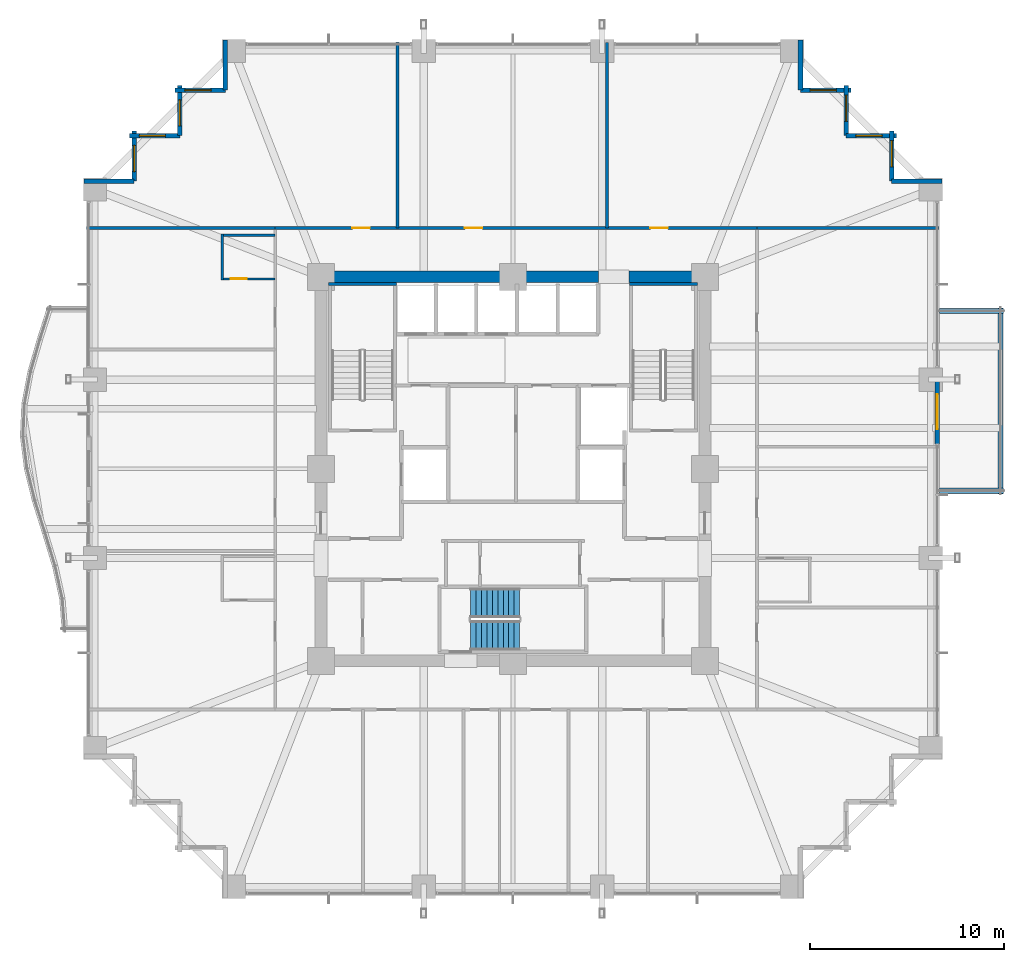
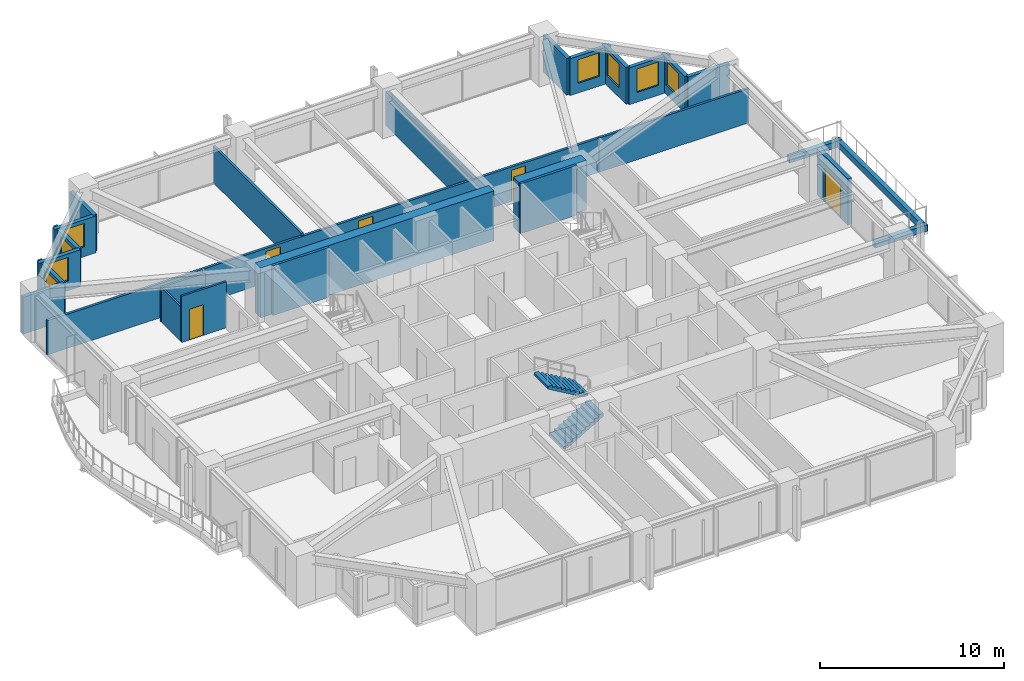
# One storey, part 35 of 38: 28 walls, 8 windows, 5 doors, 2 stair flights, 13 openings, 1 element without a shape of its own.
"""IFC4 building model written with IfcOpenShell, lengths in metres."""

import ifcopenshell
import ifcopenshell.guid

model = None  # the IFC model being written
_history = None  # IfcOwnerHistory: only IFC2X3 demands one
_inside = {}  # id of a spatial element -> (the spatial element, [elements in it])
_under = {}  # id of a project, library or spatial element -> (it, [spatial elements below it])
_declared = {}  # id of a project -> (the project, [libraries it declares])
_typed = {}  # id of a type object -> (the type object, [elements of that type])
_made_of = {}  # id of a material, layer set ... -> (it, [elements and type objects made of it])


def new_model(schema):
    """Start an empty IFC model of exactly this schema.

    Asked for "IFC4X3", IfcOpenShell would pick the latest addendum, in which some entities
    have other attributes; the version numbers below select the first issue.
    IFC2X3 requires an IfcOwnerHistory on every rooted entity: one is made here for all.
    """
    global model, _history
    if schema == "IFC4X3":
        model = ifcopenshell.file(schema_version=(4, 3, 0, 0))
    else:
        model = ifcopenshell.file(schema=schema)
    _inside.clear()
    _under.clear()
    _declared.clear()
    _typed.clear()
    _made_of.clear()
    _history = None
    if model.schema == "IFC2X3":
        org = make("IfcOrganization", Name="unknown")
        user = make(
            "IfcPersonAndOrganization",
            ThePerson=make("IfcPerson", FamilyName="unknown"),
            TheOrganization=org,
        )
        app = make(
            "IfcApplication",
            ApplicationDeveloper=org,
            Version="unknown",
            ApplicationFullName="unknown",
            ApplicationIdentifier="unknown",
        )
        _history = make(
            "IfcOwnerHistory",
            OwningUser=user,
            OwningApplication=app,
            ChangeAction="ADDED",
            CreationDate=0,
        )
    return model


def make(cls, **values):
    """One entity of the class cls with the attributes given. An attribute that is None is left unset."""
    return model.create_entity(
        cls, **{name: value for name, value in values.items() if value is not None}
    )


def rooted(cls, **values):
    """An entity with a GlobalId (a new one), such as an element, a storey or a relation."""
    return make(cls, GlobalId=ifcopenshell.guid.new(), OwnerHistory=_history, **values)


def si_unit(unit_type, name, prefix=None):
    """IfcSIUnit, for example si_unit("LENGTHUNIT", "METRE", prefix="MILLI")."""
    return make("IfcSIUnit", UnitType=unit_type, Prefix=prefix, Name=name)


def assignment(units):
    """IfcUnitAssignment: the units of a project."""
    return None if units is None else make("IfcUnitAssignment", Units=units)


def point(xyz):
    """IfcCartesianPoint."""
    return None if xyz is None else make("IfcCartesianPoint", Coordinates=xyz)


def direction(xyz):
    """IfcDirection."""
    return None if xyz is None else make("IfcDirection", DirectionRatios=xyz)


def frame(location, z_axis=None, x_axis=None):
    """IfcAxis2Placement3D, a coordinate frame: its origin and axes. An axis left out is left unset."""
    return make(
        "IfcAxis2Placement3D",
        Location=point(location),
        Axis=direction(z_axis),
        RefDirection=direction(x_axis),
    )


def frame_2d(location, x_axis=None):
    """IfcAxis2Placement2D, a coordinate frame in the plane: its origin and x axis."""
    return make(
        "IfcAxis2Placement2D", Location=point(location), RefDirection=direction(x_axis)
    )


def origin():
    """The frame at (0, 0, 0) with its axes left unset."""
    return frame((0.0, 0.0, 0.0))


def place(relative_to, where):
    """IfcLocalPlacement: puts the frame where relative to a parent placement (None: the world)."""
    return make(
        "IfcLocalPlacement", PlacementRelTo=relative_to, RelativePlacement=where
    )


def context(
    kind, dimensions, precision=None, world=None, true_north=None, identifier=None
):
    """IfcGeometricRepresentationContext, for example the 3D "Model" context."""
    return make(
        "IfcGeometricRepresentationContext",
        ContextIdentifier=identifier,
        ContextType=kind,
        CoordinateSpaceDimension=dimensions,
        Precision=precision,
        WorldCoordinateSystem=world,
        TrueNorth=true_north,
    )


def subcontext(parent, identifier, kind, view, scale=None):
    """IfcGeometricRepresentationSubContext, for example "Body" below "Model"."""
    return make(
        "IfcGeometricRepresentationSubContext",
        ContextIdentifier=identifier,
        ContextType=kind,
        ParentContext=parent,
        TargetScale=scale,
        TargetView=view,
    )


def project(units=None, contexts=None):
    """IfcProject with its units and contexts."""
    return rooted(
        "IfcProject",
        Name="project",
        RepresentationContexts=contexts,
        UnitsInContext=assignment(units),
    )


def spatial(cls, under=None, at=None, **own):
    """A site, building, storey or space (cls), placed at a placement, below another one or the project."""
    s = rooted(cls, ObjectPlacement=at, **own)
    if under is not None:
        _under.setdefault(under.id(), (under, []))[1].append(s)
    return s


def polyline(points):
    """IfcPolyline through the points."""
    return make("IfcPolyline", Points=[point(p) for p in points])


def profile(cls, at=None, kind="AREA", **sizes):
    """A parametric profile (cls). Its sizes go by their IFC names, for example OverallWidth=200.0."""
    return make(cls, ProfileType=kind, Position=at, **sizes)


def rectangle(**sizes):
    """IfcRectangleProfileDef."""
    return profile("IfcRectangleProfileDef", **sizes)


def outline(outer, holes=None, kind="AREA"):
    """IfcArbitraryClosedProfileDef: a profile drawn as a closed curve; with holes, ...WithVoids."""
    if holes is None:
        return make("IfcArbitraryClosedProfileDef", ProfileType=kind, OuterCurve=outer)
    return make(
        "IfcArbitraryProfileDefWithVoids",
        ProfileType=kind,
        OuterCurve=outer,
        InnerCurves=holes,
    )


def extrude(swept, where, along, depth):
    """IfcExtrudedAreaSolid: the profile swept, set in the frame where, extruded along a direction by depth."""
    return make(
        "IfcExtrudedAreaSolid",
        SweptArea=swept,
        Position=where,
        ExtrudedDirection=direction(along),
        Depth=depth,
    )


def shape(context_of_items, identifier, shape_type, items):
    """IfcShapeRepresentation: the items that make up one representation, for example the "Body"."""
    return make(
        "IfcShapeRepresentation",
        ContextOfItems=context_of_items,
        RepresentationIdentifier=identifier,
        RepresentationType=shape_type,
        Items=items,
    )


def material(Name=None, Category=None):
    """IfcMaterial."""
    return make("IfcMaterial", Name=Name, Category=Category)


def layer(
    of_material, thickness, ventilated=None, Name=None, Category=None, Priority=None
):
    """IfcMaterialLayer: one layer of a wall or slab, of a material (None: an air gap)."""
    return make(
        "IfcMaterialLayer",
        Material=of_material,
        LayerThickness=thickness,
        IsVentilated=ventilated,
        Name=Name,
        Category=Category,
        Priority=Priority,
    )


def layer_set(layers, Name=None):
    """IfcMaterialLayerSet."""
    return make("IfcMaterialLayerSet", MaterialLayers=layers, LayerSetName=Name)


def made_of(thing, what):
    """Note that an element or type object is made of a material, layer set ...; save() writes the relation."""
    if what is not None:
        _made_of.setdefault(what.id(), (what, []))[1].append(thing)
    return thing


def type_object(cls, material=None, **own):
    """A type object (cls), such as IfcWallType, which elements share."""
    return made_of(rooted(cls, **own), material)


def element(
    cls,
    number,
    at=None,
    inside=None,
    cuts=None,
    type_object=None,
    material=None,
    context=None,
    identifier="Body",
    shape_type=None,
    held_by="IfcProductDefinitionShape",
    body=None,
    shapes=None,
    **own,
):
    """One element of the class cls, such as IfcWall. Its Tag is "e" and its number.

    at: its placement. inside: the storey or other place that contains it. cuts: it is an
    opening in that element (IfcRelVoidsElement). A single representation is given by context,
    identifier, shape_type and body (its items); several are given by shapes. held_by: the class
    of the entity that holds the representations. save() writes the other relations.
    """
    e = rooted(cls, Tag="e%d" % number, ObjectPlacement=at, **own)
    if body is not None:
        shapes = [shape(context, identifier, shape_type, body)]
    if shapes is not None:
        e.Representation = make(held_by, Representations=shapes)
    if inside is not None:
        _inside.setdefault(inside.id(), (inside, []))[1].append(e)
    if cuts is not None:
        rooted(
            "IfcRelVoidsElement", RelatingBuildingElement=cuts, RelatedOpeningElement=e
        )
    if type_object is not None:
        _typed.setdefault(type_object.id(), (type_object, []))[1].append(e)
    return made_of(e, material)


def fill(opening, filler):
    """IfcRelFillsElement: the door or window that sits in an opening."""
    return rooted(
        "IfcRelFillsElement",
        RelatingOpeningElement=opening,
        RelatedBuildingElement=filler,
    )


def aggregate(whole, parts):
    """IfcRelAggregates: a whole, such as a stair, and the parts it consists of."""
    return rooted("IfcRelAggregates", RelatingObject=whole, RelatedObjects=parts)


def save(model, path):
    """Write the relations noted so far, then the file.

    IfcRelAggregates (storeys below a building ...), IfcRelContainedInSpatialStructure (elements
    in a storey), IfcRelDefinesByType, IfcRelAssociatesMaterial and IfcRelDeclares: one each for
    every whole, place, type object, material and project.
    """
    for whole, parts in _under.values():
        aggregate(whole, parts)
    for where, things in _inside.values():
        rooted(
            "IfcRelContainedInSpatialStructure",
            RelatedElements=things,
            RelatingStructure=where,
        )
    for kind, things in _typed.values():
        rooted("IfcRelDefinesByType", RelatedObjects=things, RelatingType=kind)
    for what, things in _made_of.values():
        rooted("IfcRelAssociatesMaterial", RelatedObjects=things, RelatingMaterial=what)
    for by, libraries in _declared.values():
        rooted("IfcRelDeclares", RelatingContext=by, RelatedDefinitions=libraries)
    model.write(path)


model = new_model("IFC4")

# Units and contexts
model_context = context("Model", 3, precision=1e-05, world=origin(), true_north=direction((0.0, 1.0)))
body_context = subcontext(model_context, "Body", "Model", "MODEL_VIEW")
ifc_project = project(units=[si_unit("LENGTHUNIT", "METRE"), si_unit("AREAUNIT", "SQUARE_METRE"), si_unit("VOLUMEUNIT", "CUBIC_METRE"), si_unit("PLANEANGLEUNIT", "RADIAN"), si_unit("MASSUNIT", "GRAM", prefix="KILO")], contexts=[model_context])

# Site, building, storey
site_placement = place(None, origin())
site = spatial("IfcSite", under=ifc_project, at=site_placement, CompositionType="ELEMENT")
building_placement = place(site_placement, origin())
building = spatial("IfcBuilding", under=site, at=building_placement, Name="Kolvaren Belvedere", CompositionType="ELEMENT")
storey_placement = place(building_placement, frame((0.0, 0.0, 53.5)))
storey = spatial("IfcBuildingStorey", under=building, at=storey_placement, Name="L15", CompositionType="ELEMENT", Elevation=53.5)

# Walls
ifc_material_1 = material(Name="Concrete C60/75", Category="concrete")
ifc_layer_1 = layer(ifc_material_1, 0.60009765625)
ifc_layer_set_1 = layer_set([ifc_layer_1], Name="Concrete C60/75")
wall_type_1 = type_object("IfcWallType", Name="CW-CORE-600", PredefinedType="SHEAR", material=ifc_layer_set_1)
wall_1_placement = place(storey_placement, frame((-10.199951171875, 9.89990234375, 0.0), z_axis=(0.0, 0.0, 1.0), x_axis=(1.0, 0.0, 0.0)))
element("IfcWall", 1, at=wall_1_placement, inside=storey, type_object=wall_type_1, Name="L15 North Core Shear Wall 1", PredefinedType="SHEAR", context=body_context, shape_type="SweptSolid", body=[
    extrude(rectangle(XDim=14.619873046875, YDim=0.60009765625, at=frame_2d((7.31005859375, 0.0))), origin(), (0.0, 0.0, 1.0), 3.300048828125),
])
wall_2_placement = place(storey_placement, frame((5.97998046875, 9.89990234375, 0.0), z_axis=(0.0, 0.0, 1.0), x_axis=(1.0, 0.0, 0.0)))
element("IfcWall", 2, at=wall_2_placement, inside=storey, type_object=wall_type_1, Name="L15 North Core Shear Wall 2", PredefinedType="SHEAR", context=body_context, shape_type="SweptSolid", body=[
    extrude(rectangle(XDim=4.219970703125, YDim=0.60009765625, at=frame_2d((2.10986328125, 0.0))), origin(), (0.0, 0.0, 1.0), 3.300048828125),
])
ifc_material_2 = material(Name="Concrete C50/60", Category="concrete")
ifc_layer_2 = layer(ifc_material_2, 0.159912109375)
ifc_layer_set_2 = layer_set([ifc_layer_2], Name="Concrete C50/60")
wall_type_2 = type_object("IfcWallType", Name="CW-STAIR-160", PredefinedType="SHEAR", material=ifc_layer_set_2)
for number, where, z_axis, x_axis, name in (
    (3, (-9.52001953125, 9.530029296875, 0.0), (0.0, 0.0, 1.0), (1.0, 0.0, 0.0), "L15 Stair ST-1 North Shear Wall"),
    (4, (6.0, 9.530029296875, 0.0), (0.0, 0.0, 1.0), (1.0, 0.0, 0.0), "L15 Stair ST-2 North Shear Wall"),
):
    element("IfcWall", number, at=place(storey_placement, frame(where, z_axis=z_axis, x_axis=x_axis)), inside=storey, type_object=wall_type_2, Name=name, PredefinedType="SHEAR", context=body_context, shape_type="SweptSolid", body=[
        extrude(rectangle(XDim=3.52001953125, YDim=0.159912109375, at=frame_2d((1.760009765625, 0.0))), origin(), (0.0, 0.0, 1.0), 3.300048828125),
    ])

# Wall, openings, doors
ifc_material_3 = material(Name="Gypsum fire-rated partition assembly", Category="gypsum")
ifc_layer_3 = layer(ifc_material_3, 0.14990234375)
ifc_layer_set_3 = layer_set([ifc_layer_3], Name="Gypsum fire-rated partition assembly")
wall_type_3 = type_object("IfcWallType", Name="WL-CORR-150", PredefinedType="PARTITIONING", material=ifc_layer_set_3)
wall_3_placement = place(storey_placement, frame((-12.260009765625, 12.419921875, 0.0), z_axis=(0.0, 0.0, 1.0), x_axis=(1.0, 0.0, 0.0)))
wall_3 = element("IfcWall", 5, at=wall_3_placement, inside=storey, type_object=wall_type_3, Name="L15 North Corridor Wall", PredefinedType="PARTITIONING", context=body_context, shape_type="SweptSolid", body=[
    extrude(rectangle(XDim=24.840087890625, YDim=0.14990234375, at=frame_2d((12.419921875, 0.0))), origin(), (0.0, 0.0, 1.0), 2.27197265625),
])
opening_1_placement = place(wall_3_placement, frame((3.9794921875, 0.0, 0.0)))
opening_1 = element("IfcOpeningElement", 6, at=opening_1_placement, cuts=wall_3, Name="Opening D-INT90", PredefinedType="OPENING", context=body_context, shape_type="SweptSolid", body=[
    extrude(rectangle(XDim=0.89990234375, YDim=2.06005859375, at=frame_2d((0.449951171875, 1.030029296875))), frame((0.0, 0.0849609375, 0.0), z_axis=(0.0, -1.0, 0.0), x_axis=(1.0, 0.0, 0.0)), (0.0, 0.0, 1.0), 0.169921875),
])
opening_2_placement = place(wall_3_placement, frame((9.780029296875, 0.0, 0.0)))
opening_2 = element("IfcOpeningElement", 7, at=opening_2_placement, cuts=wall_3, Name="Opening D-INT90", PredefinedType="OPENING", context=body_context, shape_type="SweptSolid", body=[
    extrude(rectangle(XDim=0.89990234375, YDim=2.06005859375, at=frame_2d((0.449951171875, 1.030029296875))), frame((0.0, 0.0849609375, 0.0), z_axis=(0.0, -1.0, 0.0), x_axis=(1.0, 0.0, 0.0)), (0.0, 0.0, 1.0), 0.169921875),
])
opening_3_placement = place(wall_3_placement, frame((19.344970703125, 0.0, 0.0)))
opening_3 = element("IfcOpeningElement", 8, at=opening_3_placement, cuts=wall_3, Name="Opening D-INT90", PredefinedType="OPENING", context=body_context, shape_type="SweptSolid", body=[
    extrude(rectangle(XDim=0.89990234375, YDim=2.06005859375, at=frame_2d((0.449951171875, 1.030029296875))), frame((0.0, 0.0849609375, 0.0), z_axis=(0.0, -1.0, 0.0), x_axis=(1.0, 0.0, 0.0)), (0.0, 0.0, 1.0), 0.169921875),
])
ifc_material_4 = material(Name="Stained Pacific white oak", Category="timber")
door_type_1 = type_object("IfcDoorType", Name="DR-INT-900", OperationType="NOTDEFINED", PredefinedType="DOOR", material=ifc_material_4)
door_1_placement = place(opening_1_placement, origin())
door_1 = element("IfcDoor", 9, at=door_1_placement, inside=storey, type_object=door_type_1, Name="L15 Lounge 1511 Door", OperationType="SINGLE_SWING_RIGHT", OverallHeight=2.06005859375, OverallWidth=0.89990234375, PredefinedType="DOOR", context=body_context, shape_type="SweptSolid", body=[
    extrude(rectangle(XDim=0.89990234375, YDim=2.06005859375, at=frame_2d((0.449951171875, 1.030029296875))), frame((0.0, 0.02490234375, 0.0), z_axis=(0.0, -1.0, 0.0), x_axis=(1.0, 0.0, 0.0)), (0.0, 0.0, 1.0), 0.050048828125),
])
fill(opening_1, door_1)
door_2_placement = place(opening_2_placement, origin())
door_2 = element("IfcDoor", 10, at=door_2_placement, inside=storey, type_object=door_type_1, Name="L15 Lounge 1512 Door", OperationType="SINGLE_SWING_LEFT", OverallHeight=2.06005859375, OverallWidth=0.89990234375, PredefinedType="DOOR", context=body_context, shape_type="SweptSolid", body=[
    extrude(rectangle(XDim=0.89990234375, YDim=2.06005859375, at=frame_2d((0.449951171875, 1.030029296875))), frame((0.0, 0.02490234375, 0.0), z_axis=(0.0, -1.0, 0.0), x_axis=(1.0, 0.0, 0.0)), (0.0, 0.0, 1.0), 0.050048828125),
])
fill(opening_2, door_2)
door_3_placement = place(opening_3_placement, origin())
door_3 = element("IfcDoor", 11, at=door_3_placement, inside=storey, type_object=door_type_1, Name="L15 Lounge 1513 Door", OperationType="SINGLE_SWING_RIGHT", OverallHeight=2.06005859375, OverallWidth=0.89990234375, PredefinedType="DOOR", context=body_context, shape_type="SweptSolid", body=[
    extrude(rectangle(XDim=0.89990234375, YDim=2.06005859375, at=frame_2d((0.449951171875, 1.030029296875))), frame((0.0, 0.02490234375, 0.0), z_axis=(0.0, -1.0, 0.0), x_axis=(1.0, 0.0, 0.0)), (0.0, 0.0, 1.0), 0.050048828125),
])
fill(opening_3, door_3)

# Wall, opening, door
ifc_material_5 = material(Name="Insulated pale-metal facade wall assembly", Category="aluminium")
ifc_layer_4 = layer(ifc_material_5, 0.239990234375)
ifc_layer_set_4 = layer_set([ifc_layer_4], Name="Insulated pale-metal facade wall assembly")
wall_type_4 = type_object("IfcWallType", Name="WL-EXT-240", PredefinedType="STANDARD", material=ifc_layer_set_4)
wall_4_placement = place(storey_placement, frame((21.8798828125, 4.6298828125, 0.0), z_axis=(0.0, 0.0, 1.0), x_axis=(0.0, -1.0, 0.0)))
wall_4 = element("IfcWall", 12, at=wall_4_placement, inside=storey, type_object=wall_type_4, Name="L15 East Terrace Portal Wall", PredefinedType="STANDARD", context=body_context, shape_type="SweptSolid", body=[
    extrude(rectangle(XDim=3.35986328125, YDim=0.239990234375, at=frame_2d((1.679931640625, 0.0))), origin(), (0.0, 0.0, 1.0), 3.06005859375),
])
opening_4_placement = place(wall_4_placement, frame((0.780029296875, 0.0, 0.0)))
opening_4 = element("IfcOpeningElement", 13, at=opening_4_placement, cuts=wall_4, Name="Opening DB-1800", PredefinedType="OPENING", context=body_context, shape_type="SweptSolid", body=[
    extrude(rectangle(XDim=1.800048828125, YDim=2.199951171875, at=frame_2d((0.89990234375, 1.10009765625))), frame((0.0, 0.1298828125, 0.0), z_axis=(0.0, -1.0, 0.0), x_axis=(1.0, 0.0, 0.0)), (0.0, 0.0, 1.0), 0.260009765625),
])
ifc_material_6 = material(Name="Thermally broken pale-metal aluminium & low-iron glass", Category="aluminium")
door_type_2 = type_object("IfcDoorType", Name="DR-BAL-1800", OperationType="DOUBLE_DOOR_SLIDING", PredefinedType="DOOR", material=ifc_material_6)
door_4_placement = place(opening_4_placement, origin())
door_4 = element("IfcDoor", 14, at=door_4_placement, inside=storey, type_object=door_type_2, Name="L15 East Planted Terrace Sliding Door", OperationType="DOUBLE_DOOR_SLIDING", OverallHeight=2.199951171875, OverallWidth=1.800048828125, PredefinedType="DOOR", context=body_context, shape_type="SweptSolid", body=[
    extrude(rectangle(XDim=1.800048828125, YDim=2.199951171875, at=frame_2d((0.89990234375, 1.10009765625))), frame((0.0, 0.02490234375, 0.0), z_axis=(0.0, -1.0, 0.0), x_axis=(1.0, 0.0, 0.0)), (0.0, 0.0, 1.0), 0.050048828125),
])
fill(opening_4, door_4)

# Wall
wall_5_placement = place(storey_placement, frame((19.530029296875, 14.830078125, 0.0), z_axis=(0.0, 0.0, 1.0), x_axis=(1.0, 0.0, 0.0)))
element("IfcWall", 15, at=wall_5_placement, inside=storey, type_object=wall_type_4, Name="L15 Serrated Corner Facade Wall 9", PredefinedType="STANDARD", context=body_context, shape_type="SweptSolid", body=[
    extrude(rectangle(XDim=2.590087890625, YDim=0.239990234375, at=frame_2d((1.294921875, 0.0))), origin(), (0.0, 0.0, 1.0), 2.43896484375),
])

# Wall, opening, window
wall_6_placement = place(storey_placement, frame((19.530029296875, 17.419921875, 0.0), z_axis=(0.0, 0.0, 1.0), x_axis=(0.0, -1.0, 0.0)))
wall_6 = element("IfcWall", 16, at=wall_6_placement, inside=storey, type_object=wall_type_4, Name="L15 Serrated Corner Facade Wall 10", PredefinedType="STANDARD", context=body_context, shape_type="SweptSolid", body=[
    extrude(rectangle(XDim=2.58984375, YDim=0.239990234375, at=frame_2d((1.294921875, 0.0))), origin(), (0.0, 0.0, 1.0), 2.43896484375),
])
opening_5_placement = place(wall_6_placement, frame((0.5, 0.0, 0.64990234375)))
opening_5 = element("IfcOpeningElement", 17, at=opening_5_placement, cuts=wall_6, Name="Opening W-1350", PredefinedType="OPENING", context=body_context, shape_type="SweptSolid", body=[
    extrude(rectangle(XDim=1.35009765625, YDim=1.550048828125, at=frame_2d((0.675048828125, 0.77490234375))), frame((0.0, 0.1298828125, 0.0), z_axis=(0.0, -1.0, 0.0), x_axis=(1.0, 0.0, 0.0)), (0.0, 0.0, 1.0), 0.260009765625),
])
ifc_material_7 = material(Name="Low-iron triple insulated glass", Category="glass")
window_type = type_object("IfcWindowType", Name="WN-CORN-1350", PartitioningType="SINGLE_PANEL", PredefinedType="WINDOW", material=ifc_material_7)
window_1_placement = place(opening_5_placement, origin())
window_1 = element("IfcWindow", 18, at=window_1_placement, inside=storey, type_object=window_type, Name="L15 Serrated Corner Vision Window 10", OverallHeight=1.550048828125, OverallWidth=1.35009765625, PartitioningType="SINGLE_PANEL", PredefinedType="WINDOW", context=body_context, shape_type="SweptSolid", body=[
    extrude(rectangle(XDim=1.35009765625, YDim=1.550048828125, at=frame_2d((0.675048828125, 0.77490234375))), frame((0.0, 0.030029296875, 0.0), z_axis=(0.0, -1.0, 0.0), x_axis=(1.0, 0.0, 0.0)), (0.0, 0.0, 1.0), 0.06005859375),
])
fill(opening_5, window_1)

wall_7_placement = place(storey_placement, frame((17.179931640625, 17.179931640625, 0.0), z_axis=(0.0, 0.0, 1.0), x_axis=(1.0, 0.0, 0.0)))
wall_7 = element("IfcWall", 19, at=wall_7_placement, inside=storey, type_object=wall_type_4, Name="L15 Serrated Corner Facade Wall 11", PredefinedType="STANDARD", context=body_context, shape_type="SweptSolid", body=[
    extrude(rectangle(XDim=2.590087890625, YDim=0.239990234375, at=frame_2d((1.294921875, 0.0))), origin(), (0.0, 0.0, 1.0), 2.43896484375),
])
opening_6_placement = place(wall_7_placement, frame((0.5, 0.0, 0.64990234375)))
opening_6 = element("IfcOpeningElement", 20, at=opening_6_placement, cuts=wall_7, Name="Opening W-1350", PredefinedType="OPENING", context=body_context, shape_type="SweptSolid", body=[
    extrude(rectangle(XDim=1.35009765625, YDim=1.550048828125, at=frame_2d((0.675048828125, 0.77490234375))), frame((0.0, 0.1298828125, 0.0), z_axis=(0.0, -1.0, 0.0), x_axis=(1.0, 0.0, 0.0)), (0.0, 0.0, 1.0), 0.260009765625),
])
window_2_placement = place(opening_6_placement, origin())
window_2 = element("IfcWindow", 21, at=window_2_placement, inside=storey, type_object=window_type, Name="L15 Serrated Corner Vision Window 11", OverallHeight=1.550048828125, OverallWidth=1.35009765625, PartitioningType="SINGLE_PANEL", PredefinedType="WINDOW", context=body_context, shape_type="SweptSolid", body=[
    extrude(rectangle(XDim=1.35009765625, YDim=1.550048828125, at=frame_2d((0.675048828125, 0.77490234375))), frame((0.0, 0.030029296875, 0.0), z_axis=(0.0, -1.0, 0.0), x_axis=(1.0, 0.0, 0.0)), (0.0, 0.0, 1.0), 0.06005859375),
])
fill(opening_6, window_2)

wall_8_placement = place(storey_placement, frame((17.179931640625, 19.77001953125, 0.0), z_axis=(0.0, 0.0, 1.0), x_axis=(0.0, -1.0, 0.0)))
wall_8 = element("IfcWall", 22, at=wall_8_placement, inside=storey, type_object=wall_type_4, Name="L15 Serrated Corner Facade Wall 12", PredefinedType="STANDARD", context=body_context, shape_type="SweptSolid", body=[
    extrude(rectangle(XDim=2.590087890625, YDim=0.239990234375, at=frame_2d((1.294921875, 0.0))), origin(), (0.0, 0.0, 1.0), 2.43896484375),
])
opening_7_placement = place(wall_8_placement, frame((0.5, 0.0, 0.64990234375)))
opening_7 = element("IfcOpeningElement", 23, at=opening_7_placement, cuts=wall_8, Name="Opening W-1350", PredefinedType="OPENING", context=body_context, shape_type="SweptSolid", body=[
    extrude(rectangle(XDim=1.35009765625, YDim=1.550048828125, at=frame_2d((0.675048828125, 0.77490234375))), frame((0.0, 0.1298828125, 0.0), z_axis=(0.0, -1.0, 0.0), x_axis=(1.0, 0.0, 0.0)), (0.0, 0.0, 1.0), 0.260009765625),
])
window_3_placement = place(opening_7_placement, origin())
window_3 = element("IfcWindow", 24, at=window_3_placement, inside=storey, type_object=window_type, Name="L15 Serrated Corner Vision Window 12", OverallHeight=1.550048828125, OverallWidth=1.35009765625, PartitioningType="SINGLE_PANEL", PredefinedType="WINDOW", context=body_context, shape_type="SweptSolid", body=[
    extrude(rectangle(XDim=1.35009765625, YDim=1.550048828125, at=frame_2d((0.675048828125, 0.77490234375))), frame((0.0, 0.030029296875, 0.0), z_axis=(0.0, -1.0, 0.0), x_axis=(1.0, 0.0, 0.0)), (0.0, 0.0, 1.0), 0.06005859375),
])
fill(opening_7, window_3)

wall_9_placement = place(storey_placement, frame((14.830078125, 19.530029296875, 0.0), z_axis=(0.0, 0.0, 1.0), x_axis=(1.0, 0.0, 0.0)))
wall_9 = element("IfcWall", 25, at=wall_9_placement, inside=storey, type_object=wall_type_4, Name="L15 Serrated Corner Facade Wall 13", PredefinedType="STANDARD", context=body_context, shape_type="SweptSolid", body=[
    extrude(rectangle(XDim=2.58984375, YDim=0.239990234375, at=frame_2d((1.294921875, 0.0))), origin(), (0.0, 0.0, 1.0), 2.43896484375),
])
opening_8_placement = place(wall_9_placement, frame((0.5, 0.0, 0.64990234375)))
opening_8 = element("IfcOpeningElement", 26, at=opening_8_placement, cuts=wall_9, Name="Opening W-1350", PredefinedType="OPENING", context=body_context, shape_type="SweptSolid", body=[
    extrude(rectangle(XDim=1.35009765625, YDim=1.550048828125, at=frame_2d((0.675048828125, 0.77490234375))), frame((0.0, 0.1298828125, 0.0), z_axis=(0.0, -1.0, 0.0), x_axis=(1.0, 0.0, 0.0)), (0.0, 0.0, 1.0), 0.260009765625),
])
window_4_placement = place(opening_8_placement, origin())
window_4 = element("IfcWindow", 27, at=window_4_placement, inside=storey, type_object=window_type, Name="L15 Serrated Corner Vision Window 13", OverallHeight=1.550048828125, OverallWidth=1.35009765625, PartitioningType="SINGLE_PANEL", PredefinedType="WINDOW", context=body_context, shape_type="SweptSolid", body=[
    extrude(rectangle(XDim=1.35009765625, YDim=1.550048828125, at=frame_2d((0.675048828125, 0.77490234375))), frame((0.0, 0.030029296875, 0.0), z_axis=(0.0, -1.0, 0.0), x_axis=(1.0, 0.0, 0.0)), (0.0, 0.0, 1.0), 0.06005859375),
])
fill(opening_8, window_4)

# Walls
for number, where, z_axis, x_axis, name in (
    (28, (14.830078125, 22.1201171875, 0.0), (0.0, 0.0, 1.0), (0.0, -1.0, 0.0), "L15 Serrated Corner Facade Wall 14"),
    (29, (-14.830078125, 19.530029296875, 0.0), (0.0, 0.0, 1.0), (0.0, 1.0, 0.0), "L15 Serrated Corner Facade Wall 16"),
):
    element("IfcWall", number, at=place(storey_placement, frame(where, z_axis=z_axis, x_axis=x_axis)), inside=storey, type_object=wall_type_4, Name=name, PredefinedType="STANDARD", context=body_context, shape_type="SweptSolid", body=[
        extrude(rectangle(XDim=2.590087890625, YDim=0.239990234375, at=frame_2d((1.294921875, 0.0))), origin(), (0.0, 0.0, 1.0), 2.43896484375),
    ])

# Wall, opening, window
wall_10_placement = place(storey_placement, frame((-17.419921875, 19.530029296875, 0.0), z_axis=(0.0, 0.0, 1.0), x_axis=(1.0, 0.0, 0.0)))
wall_10 = element("IfcWall", 30, at=wall_10_placement, inside=storey, type_object=wall_type_4, Name="L15 Serrated Corner Facade Wall 17", PredefinedType="STANDARD", context=body_context, shape_type="SweptSolid", body=[
    extrude(rectangle(XDim=2.58984375, YDim=0.239990234375, at=frame_2d((1.294921875, 0.0))), origin(), (0.0, 0.0, 1.0), 2.43896484375),
])
opening_9_placement = place(wall_10_placement, frame((0.5, 0.0, 0.64990234375)))
opening_9 = element("IfcOpeningElement", 31, at=opening_9_placement, cuts=wall_10, Name="Opening W-1350", PredefinedType="OPENING", context=body_context, shape_type="SweptSolid", body=[
    extrude(rectangle(XDim=1.35009765625, YDim=1.550048828125, at=frame_2d((0.675048828125, 0.77490234375))), frame((0.0, 0.1298828125, 0.0), z_axis=(0.0, -1.0, 0.0), x_axis=(1.0, 0.0, 0.0)), (0.0, 0.0, 1.0), 0.260009765625),
])
window_5_placement = place(opening_9_placement, origin())
window_5 = element("IfcWindow", 32, at=window_5_placement, inside=storey, type_object=window_type, Name="L15 Serrated Corner Vision Window 17", OverallHeight=1.550048828125, OverallWidth=1.35009765625, PartitioningType="SINGLE_PANEL", PredefinedType="WINDOW", context=body_context, shape_type="SweptSolid", body=[
    extrude(rectangle(XDim=1.35009765625, YDim=1.550048828125, at=frame_2d((0.675048828125, 0.77490234375))), frame((0.0, 0.030029296875, 0.0), z_axis=(0.0, -1.0, 0.0), x_axis=(1.0, 0.0, 0.0)), (0.0, 0.0, 1.0), 0.06005859375),
])
fill(opening_9, window_5)

wall_11_placement = place(storey_placement, frame((-17.179931640625, 17.179931640625, 0.0), z_axis=(0.0, 0.0, 1.0), x_axis=(0.0, 1.0, 0.0)))
wall_11 = element("IfcWall", 33, at=wall_11_placement, inside=storey, type_object=wall_type_4, Name="L15 Serrated Corner Facade Wall 18", PredefinedType="STANDARD", context=body_context, shape_type="SweptSolid", body=[
    extrude(rectangle(XDim=2.590087890625, YDim=0.239990234375, at=frame_2d((1.294921875, 0.0))), origin(), (0.0, 0.0, 1.0), 2.43896484375),
])
opening_10_placement = place(wall_11_placement, frame((0.5, 0.0, 0.64990234375)))
opening_10 = element("IfcOpeningElement", 34, at=opening_10_placement, cuts=wall_11, Name="Opening W-1350", PredefinedType="OPENING", context=body_context, shape_type="SweptSolid", body=[
    extrude(rectangle(XDim=1.35009765625, YDim=1.550048828125, at=frame_2d((0.675048828125, 0.77490234375))), frame((0.0, 0.1298828125, 0.0), z_axis=(0.0, -1.0, 0.0), x_axis=(1.0, 0.0, 0.0)), (0.0, 0.0, 1.0), 0.260009765625),
])
window_6_placement = place(opening_10_placement, origin())
window_6 = element("IfcWindow", 35, at=window_6_placement, inside=storey, type_object=window_type, Name="L15 Serrated Corner Vision Window 18", OverallHeight=1.550048828125, OverallWidth=1.35009765625, PartitioningType="SINGLE_PANEL", PredefinedType="WINDOW", context=body_context, shape_type="SweptSolid", body=[
    extrude(rectangle(XDim=1.35009765625, YDim=1.550048828125, at=frame_2d((0.675048828125, 0.77490234375))), frame((0.0, 0.030029296875, 0.0), z_axis=(0.0, -1.0, 0.0), x_axis=(1.0, 0.0, 0.0)), (0.0, 0.0, 1.0), 0.06005859375),
])
fill(opening_10, window_6)

wall_12_placement = place(storey_placement, frame((-19.77001953125, 17.179931640625, 0.0), z_axis=(0.0, 0.0, 1.0), x_axis=(1.0, 0.0, 0.0)))
wall_12 = element("IfcWall", 36, at=wall_12_placement, inside=storey, type_object=wall_type_4, Name="L15 Serrated Corner Facade Wall 19", PredefinedType="STANDARD", context=body_context, shape_type="SweptSolid", body=[
    extrude(rectangle(XDim=2.590087890625, YDim=0.239990234375, at=frame_2d((1.294921875, 0.0))), origin(), (0.0, 0.0, 1.0), 2.43896484375),
])
opening_11_placement = place(wall_12_placement, frame((0.5, 0.0, 0.64990234375)))
opening_11 = element("IfcOpeningElement", 37, at=opening_11_placement, cuts=wall_12, Name="Opening W-1350", PredefinedType="OPENING", context=body_context, shape_type="SweptSolid", body=[
    extrude(rectangle(XDim=1.35009765625, YDim=1.550048828125, at=frame_2d((0.675048828125, 0.77490234375))), frame((0.0, 0.1298828125, 0.0), z_axis=(0.0, -1.0, 0.0), x_axis=(1.0, 0.0, 0.0)), (0.0, 0.0, 1.0), 0.260009765625),
])
window_7_placement = place(opening_11_placement, origin())
window_7 = element("IfcWindow", 38, at=window_7_placement, inside=storey, type_object=window_type, Name="L15 Serrated Corner Vision Window 19", OverallHeight=1.550048828125, OverallWidth=1.35009765625, PartitioningType="SINGLE_PANEL", PredefinedType="WINDOW", context=body_context, shape_type="SweptSolid", body=[
    extrude(rectangle(XDim=1.35009765625, YDim=1.550048828125, at=frame_2d((0.675048828125, 0.77490234375))), frame((0.0, 0.030029296875, 0.0), z_axis=(0.0, -1.0, 0.0), x_axis=(1.0, 0.0, 0.0)), (0.0, 0.0, 1.0), 0.06005859375),
])
fill(opening_11, window_7)

wall_13_placement = place(storey_placement, frame((-19.530029296875, 14.830078125, 0.0), z_axis=(0.0, 0.0, 1.0), x_axis=(0.0, 1.0, 0.0)))
wall_13 = element("IfcWall", 39, at=wall_13_placement, inside=storey, type_object=wall_type_4, Name="L15 Serrated Corner Facade Wall 20", PredefinedType="STANDARD", context=body_context, shape_type="SweptSolid", body=[
    extrude(rectangle(XDim=2.58984375, YDim=0.239990234375, at=frame_2d((1.294921875, 0.0))), origin(), (0.0, 0.0, 1.0), 2.43896484375),
])
opening_12_placement = place(wall_13_placement, frame((0.5, 0.0, 0.64990234375)))
opening_12 = element("IfcOpeningElement", 40, at=opening_12_placement, cuts=wall_13, Name="Opening W-1350", PredefinedType="OPENING", context=body_context, shape_type="SweptSolid", body=[
    extrude(rectangle(XDim=1.35009765625, YDim=1.550048828125, at=frame_2d((0.675048828125, 0.77490234375))), frame((0.0, 0.1298828125, 0.0), z_axis=(0.0, -1.0, 0.0), x_axis=(1.0, 0.0, 0.0)), (0.0, 0.0, 1.0), 0.260009765625),
])
window_8_placement = place(opening_12_placement, origin())
window_8 = element("IfcWindow", 41, at=window_8_placement, inside=storey, type_object=window_type, Name="L15 Serrated Corner Vision Window 20", OverallHeight=1.550048828125, OverallWidth=1.35009765625, PartitioningType="SINGLE_PANEL", PredefinedType="WINDOW", context=body_context, shape_type="SweptSolid", body=[
    extrude(rectangle(XDim=1.35009765625, YDim=1.550048828125, at=frame_2d((0.675048828125, 0.77490234375))), frame((0.0, 0.030029296875, 0.0), z_axis=(0.0, -1.0, 0.0), x_axis=(1.0, 0.0, 0.0)), (0.0, 0.0, 1.0), 0.06005859375),
])
fill(opening_12, window_8)

# Walls
wall_14_placement = place(storey_placement, frame((-22.1201171875, 14.830078125, 0.0), z_axis=(0.0, 0.0, 1.0), x_axis=(1.0, 0.0, 0.0)))
element("IfcWall", 42, at=wall_14_placement, inside=storey, type_object=wall_type_4, Name="L15 Serrated Corner Facade Wall 21", PredefinedType="STANDARD", context=body_context, shape_type="SweptSolid", body=[
    extrude(rectangle(XDim=2.590087890625, YDim=0.239990234375, at=frame_2d((1.294921875, 0.0))), origin(), (0.0, 0.0, 1.0), 2.43896484375),
])
ifc_material_8 = material(Name="Gypsum acoustic partition assembly", Category="gypsum")
ifc_layer_5 = layer(ifc_material_8, 0.14990234375)
ifc_layer_set_5 = layer_set([ifc_layer_5], Name="Gypsum acoustic partition assembly")
wall_type_5 = type_object("IfcWallType", Name="WL-PART-150", PredefinedType="PARTITIONING", material=ifc_layer_set_5)
wall_15_placement = place(storey_placement, frame((-21.97998046875, 12.419921875, 0.0), z_axis=(0.0, 0.0, 1.0), x_axis=(1.0, 0.0, 0.0)))
element("IfcWall", 43, at=wall_15_placement, inside=storey, type_object=wall_type_5, Name="L15 Wing Divider PW-L15-QNW", PredefinedType="PARTITIONING", context=body_context, shape_type="SweptSolid", body=[
    extrude(rectangle(XDim=9.719970703125, YDim=0.14990234375, at=frame_2d((4.85986328125, 0.0))), origin(), (0.0, 0.0, 1.0), 2.27197265625),
])
wall_16_placement = place(storey_placement, frame((12.580078125, 12.419921875, 0.0), z_axis=(0.0, 0.0, 1.0), x_axis=(1.0, 0.0, 0.0)))
element("IfcWall", 44, at=wall_16_placement, inside=storey, type_object=wall_type_5, Name="L15 Wing Divider PW-L15-QNE", PredefinedType="PARTITIONING", context=body_context, shape_type="SweptSolid", body=[
    extrude(rectangle(XDim=9.39990234375, YDim=0.14990234375, at=frame_2d((4.699951171875, 0.0))), origin(), (0.0, 0.0, 1.0), 2.27197265625),
])
wall_17_placement = place(storey_placement, frame((-5.9560546875, 12.419921875, 0.0), z_axis=(0.0, 0.0, 1.0), x_axis=(0.0, 1.0, 0.0)))
element("IfcWall", 45, at=wall_17_placement, inside=storey, type_object=wall_type_5, Name="L15 North Suite Demising Wall 1", PredefinedType="PARTITIONING", context=body_context, shape_type="SweptSolid", body=[
    extrude(rectangle(XDim=9.56005859375, YDim=0.14990234375, at=frame_2d((4.780029296875, 0.0))), origin(), (0.0, 0.0, 1.0), 2.428955078125),
])
wall_18_placement = place(storey_placement, frame((4.843994140625, 12.419921875, 0.0), z_axis=(0.0, 0.0, 1.0), x_axis=(0.0, 1.0, 0.0)))
element("IfcWall", 46, at=wall_18_placement, inside=storey, type_object=wall_type_5, Name="L15 North Suite Demising Wall 2", PredefinedType="PARTITIONING", context=body_context, shape_type="SweptSolid", body=[
    extrude(rectangle(XDim=9.56005859375, YDim=0.14990234375, at=frame_2d((4.780029296875, 0.0))), origin(), (0.0, 0.0, 1.0), 2.27197265625),
])
ifc_material_9 = material(Name="Precast concrete C40/50", Category="concrete")
ifc_layer_6 = layer(ifc_material_9, 0.300048828125)
ifc_layer_set_6 = layer_set([ifc_layer_6], Name="Precast concrete C40/50")
wall_type_6 = type_object("IfcWallType", Name="WL-PLANTER-300", PredefinedType="PARAPET", material=ifc_layer_set_6)
wall_19_placement = place(storey_placement, frame((22.0, -1.139892578125, -0.06005859375), z_axis=(0.0, 0.0, 1.0), x_axis=(1.0, 0.0, 0.0)))
element("IfcWall", 47, at=wall_19_placement, inside=storey, type_object=wall_type_6, Name="L15 Precast Structural Planter Wall SPIRAL-02-E-1", PredefinedType="PARAPET", context=body_context, shape_type="SweptSolid", body=[
    extrude(rectangle(XDim=3.300048828125, YDim=0.280029296875, at=frame_2d((1.64990234375, 0.0))), origin(), (0.0, 0.0, 1.0), 0.420166015625),
])
wall_20_placement = place(storey_placement, frame((25.139892578125, -1.300048828125, -0.06005859375), z_axis=(0.0, 0.0, 1.0), x_axis=(0.0, 1.0, 0.0)))
element("IfcWall", 48, at=wall_20_placement, inside=storey, type_object=wall_type_6, Name="L15 Precast Structural Planter Wall SPIRAL-02-E-2", PredefinedType="PARAPET", context=body_context, shape_type="SweptSolid", body=[
    extrude(rectangle(XDim=9.60009765625, YDim=0.280029296875, at=frame_2d((4.800048828125, 0.0))), origin(), (0.0, 0.0, 1.0), 0.420166015625),
])
wall_21_placement = place(storey_placement, frame((25.300048828125, 8.139892578125, -0.06005859375), z_axis=(0.0, 0.0, 1.0), x_axis=(-1.0, 0.0, 0.0)))
element("IfcWall", 49, at=wall_21_placement, inside=storey, type_object=wall_type_6, Name="L15 Precast Structural Planter Wall SPIRAL-02-E-3", PredefinedType="PARAPET", context=body_context, shape_type="SweptSolid", body=[
    extrude(rectangle(XDim=3.300048828125, YDim=0.280029296875, at=frame_2d((1.64990234375, 0.0))), origin(), (0.0, 0.0, 1.0), 0.420166015625),
])

# Wall, opening, door
ifc_material_10 = material(Name="Moisture-resistant gypsum partition", Category="gypsum")
ifc_layer_7 = layer(ifc_material_10, 0.125)
ifc_layer_set_7 = layer_set([ifc_layer_7], Name="Moisture-resistant gypsum partition")
wall_type_7 = type_object("IfcWallType", Name="WL-WET-125", PredefinedType="PARTITIONING", material=ifc_layer_set_7)
wall_22_placement = place(storey_placement, frame((-15.06494140625, 9.791015625, 0.0), z_axis=(0.0, 0.0, 1.0), x_axis=(1.0, 0.0, 0.0)))
wall_22 = element("IfcWall", 50, at=wall_22_placement, inside=storey, type_object=wall_type_7, Name="L15 Bathroom Partition PW-L15-BTH-10-N", PredefinedType="PARTITIONING", context=body_context, shape_type="SweptSolid", body=[
    extrude(rectangle(XDim=2.7900390625, YDim=0.125, at=frame_2d((1.39501953125, 0.0))), origin(), (0.0, 0.0, 1.0), 3.06005859375),
])
opening_13_placement = place(wall_22_placement, frame((0.5, 0.0, 0.0)))
opening_13 = element("IfcOpeningElement", 51, at=opening_13_placement, cuts=wall_22, Name="Opening D-BTH85", PredefinedType="OPENING", context=body_context, shape_type="SweptSolid", body=[
    extrude(rectangle(XDim=0.85009765625, YDim=2.030029296875, at=frame_2d((0.425048828125, 1.01513671875))), frame((0.0, 0.072509765625, 0.0), z_axis=(0.0, -1.0, 0.0), x_axis=(1.0, 0.0, 0.0)), (0.0, 0.0, 1.0), 0.14501953125),
])
ifc_material_11 = material(Name="Moisture-sealed Pacific white oak", Category="timber")
door_type_3 = type_object("IfcDoorType", Name="DR-BATH-850", OperationType="NOTDEFINED", PredefinedType="DOOR", material=ifc_material_11)
door_5_placement = place(opening_13_placement, origin())
door_5 = element("IfcDoor", 52, at=door_5_placement, inside=storey, type_object=door_type_3, Name="L15 En-Suite Bathroom 1510 Door", OperationType="SINGLE_SWING_RIGHT", OverallHeight=2.030029296875, OverallWidth=0.85009765625, PredefinedType="DOOR", context=body_context, shape_type="SweptSolid", body=[
    extrude(rectangle(XDim=0.85009765625, YDim=2.030029296875, at=frame_2d((0.425048828125, 1.01513671875))), frame((0.0, 0.02490234375, 0.0), z_axis=(0.0, -1.0, 0.0), x_axis=(1.0, 0.0, 0.0)), (0.0, 0.0, 1.0), 0.050048828125),
])
fill(opening_13, door_5)

# Walls
wall_23_placement = place(storey_placement, frame((-14.985107421875, 9.73095703125, 0.0), z_axis=(0.0, 0.0, 1.0), x_axis=(0.0, 1.0, 0.0)))
element("IfcWall", 53, at=wall_23_placement, inside=storey, type_object=wall_type_7, Name="L15 Bathroom Partition PW-L15-BTH-10-V", PredefinedType="PARTITIONING", context=body_context, shape_type="SweptSolid", body=[
    extrude(rectangle(XDim=2.3701171875, YDim=0.125, at=frame_2d((1.18505859375, 0.0))), origin(), (0.0, 0.0, 1.0), 2.27197265625),
])
wall_24_placement = place(storey_placement, frame((-15.06494140625, 12.041015625, 0.0), z_axis=(0.0, 0.0, 1.0), x_axis=(1.0, 0.0, 0.0)))
element("IfcWall", 54, at=wall_24_placement, inside=storey, type_object=wall_type_7, Name="L15 Bathroom Partition PW-L15-BTH-10-S", PredefinedType="PARTITIONING", context=body_context, shape_type="SweptSolid", body=[
    extrude(rectangle(XDim=2.7900390625, YDim=0.125, at=frame_2d((1.39501953125, 0.0))), origin(), (0.0, 0.0, 1.0), 2.27197265625),
])

# Stair, stair flights
ifc_material_12 = material(Name="Concrete C50/60", Category="concrete")
stair_type = type_object("IfcStairType", Name="ST-CORE-1520", PredefinedType="HALF_TURN_STAIR", material=ifc_material_12)
stair_placement = place(storey_placement, origin())
stair = element("IfcStair", 55, at=stair_placement, inside=storey, type_object=stair_type, Name="L15 Protected Exit Stair ST-3", PredefinedType="HALF_TURN_STAIR")
ifc_material_13 = material(Name="Concrete C50/60", Category="concrete")
stair_flight_type = type_object("IfcStairFlightType", Name="SF-STR-1520", PredefinedType="STRAIGHT", material=ifc_material_13)
stair_flight_1_placement = place(storey_placement, frame((-2.179931640625, -8.590087890625, 0.0), z_axis=(0.0, 0.0, 1.0), x_axis=(1.0, 0.0, 0.0)))
stair_flight_1 = element("IfcStairFlight", 56, at=stair_flight_1_placement, type_object=stair_flight_type, Name="ST-3 flight 1", NumberOfRisers=10, NumberOfTreads=9, PredefinedType="STRAIGHT", RiserHeight=0.165, TreadLength=0.28, context=body_context, shape_type="SweptSolid", body=[
    extrude(outline(polyline([(0.0, 0.0), (0.0, 0.1650390625), (0.280029296875, 0.1650390625), (0.280029296875, 0.330078125), (0.56005859375, 0.330078125), (0.56005859375, 0.4951171875), (0.840087890625, 0.4951171875), (0.840087890625, 0.659912109375), (1.1201171875, 0.659912109375), (1.1201171875, 0.824951171875), (1.39990234375, 0.824951171875), (1.39990234375, 0.989990234375), (1.679931640625, 0.989990234375), (1.679931640625, 1.155029296875), (1.9599609375, 1.155029296875), (1.9599609375, 1.320068359375), (2.239990234375, 1.320068359375), (2.239990234375, 1.485107421875), (2.52001953125, 1.485107421875), (2.52001953125, 1.64990234375), (2.52001953125, 1.31103515625), (0.295166015625, 0.0), (0.0, 0.0)])), frame((0.0, 0.760009765625, 0.0), z_axis=(0.0, -1.0, 0.0), x_axis=(1.0, 0.0, 0.0)), (0.0, 0.0, 1.0), 1.52001953125),
])
stair_flight_2_placement = place(storey_placement, frame((0.340087890625, -6.919921875, 1.64990234375), z_axis=(0.0, 0.0, 1.0), x_axis=(-1.0, 0.0, 0.0)))
stair_flight_2 = element("IfcStairFlight", 57, at=stair_flight_2_placement, type_object=stair_flight_type, Name="ST-3 flight 2", NumberOfRisers=10, NumberOfTreads=9, PredefinedType="STRAIGHT", RiserHeight=0.165, TreadLength=0.28, context=body_context, shape_type="SweptSolid", body=[
    extrude(outline(polyline([(0.0, 0.0), (0.0, 0.1650390625), (0.280029296875, 0.1650390625), (0.280029296875, 0.330078125), (0.56005859375, 0.330078125), (0.56005859375, 0.4951171875), (0.840087890625, 0.4951171875), (0.840087890625, 0.659912109375), (1.1201171875, 0.659912109375), (1.1201171875, 0.824951171875), (1.39990234375, 0.824951171875), (1.39990234375, 0.989990234375), (1.679931640625, 0.989990234375), (1.679931640625, 1.155029296875), (1.9599609375, 1.155029296875), (1.9599609375, 1.320068359375), (2.239990234375, 1.320068359375), (2.239990234375, 1.485107421875), (2.52001953125, 1.485107421875), (2.52001953125, 1.64990234375), (2.52001953125, 1.31103515625), (0.295166015625, 0.0), (0.0, 0.0)])), frame((0.0, 0.760009765625, 0.0), z_axis=(0.0, -1.0, 0.0), x_axis=(1.0, 0.0, 0.0)), (0.0, 0.0, 1.0), 1.52001953125),
])
aggregate(stair, [stair_flight_1, stair_flight_2])

save(model, "model.ifc")
